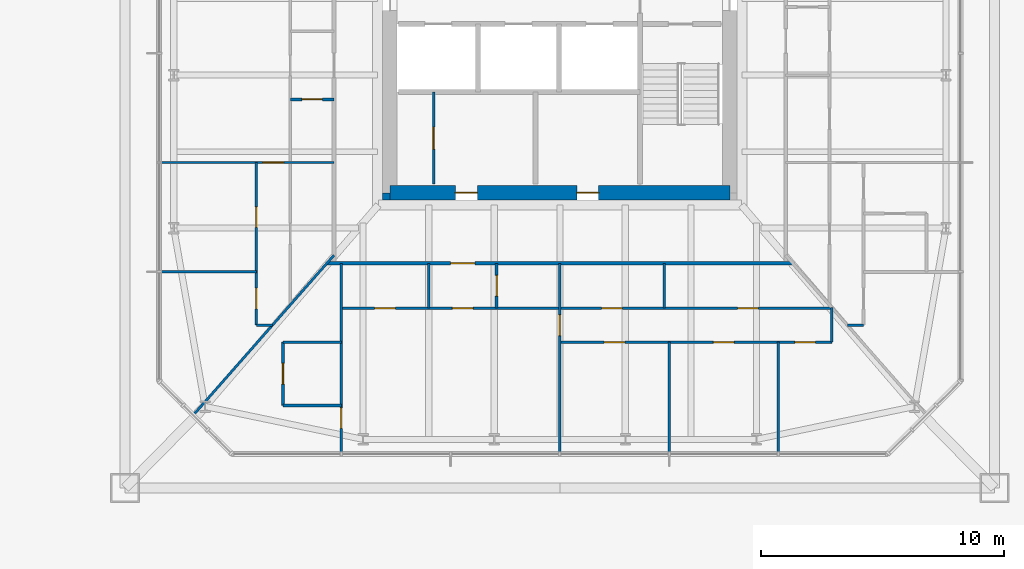
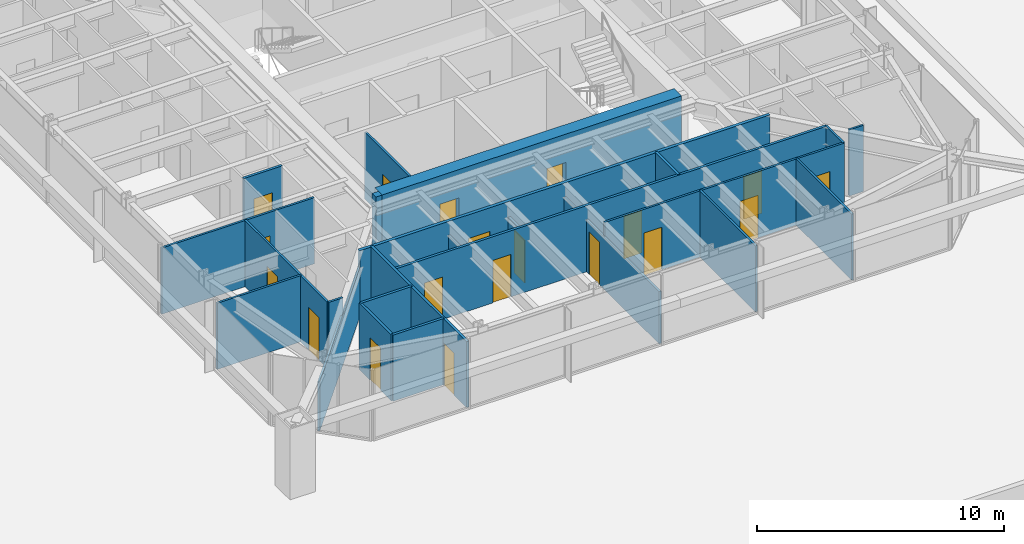
# One storey, part 22 of 31: 24 walls, 19 doors, 19 openings.
"""IFC4 building model written with IfcOpenShell, lengths in metres."""

from ifc_helpers import new_model, si_unit, direction, frame, frame_2d, origin, place, context, subcontext, project, spatial, rectangle, extrude, material, layer, layer_set, type_object, element, fill, save


model = new_model("IFC4")

# Units and contexts
model_context = context("Model", 3, precision=1e-05, world=origin(), true_north=direction((0.0, 1.0)))
body_context = subcontext(model_context, "Body", "Model", "MODEL_VIEW")
ifc_project = project(units=[si_unit("LENGTHUNIT", "METRE"), si_unit("AREAUNIT", "SQUARE_METRE"), si_unit("VOLUMEUNIT", "CUBIC_METRE"), si_unit("PLANEANGLEUNIT", "RADIAN"), si_unit("MASSUNIT", "GRAM", prefix="KILO")], contexts=[model_context])

# Site, building, storey
site_placement = place(None, origin())
site = spatial("IfcSite", under=ifc_project, at=site_placement, CompositionType="ELEMENT")
building_placement = place(site_placement, origin())
building = spatial("IfcBuilding", under=site, at=building_placement, Name="Iwan Alto Co-Living Towers", CompositionType="ELEMENT")
storey_placement = place(building_placement, frame((0.0, 0.0, 15.0)))
storey = spatial("IfcBuildingStorey", under=building, at=storey_placement, Name="L03", CompositionType="ELEMENT", Elevation=15.0)

# Wall, opening, door
ifc_material_1 = material(Name="Gypsum board")
ifc_layer_1 = layer(ifc_material_1, 0.02490234375, Name="Board", Category="Finish")
ifc_material_2 = material(Name="Steel ASTM A1003 ST33H cold-formed studs", Category="steel")
ifc_layer_2 = layer(ifc_material_2, 0.10009765625, Name="Studs", Category="Framing")
ifc_layer_3 = layer(ifc_material_1, 0.02490234375, Name="Board", Category="Finish")
ifc_layer_set_1 = layer_set([ifc_layer_1, ifc_layer_2, ifc_layer_3], Name="CORRIDOR WALL 150")
wall_type_1 = type_object("IfcWallType", Name="CORRIDOR WALL 150", PredefinedType="PARTITIONING", material=ifc_layer_set_1)
wall_1_placement = place(storey_placement, frame((53.407958984375, -10.89990234375, 0.0), z_axis=(0.0, 0.0, 1.0), x_axis=(1.0, 0.0, 0.0)))
wall_1 = element("IfcWall", 1, at=wall_1_placement, inside=storey, type_object=wall_type_1, Name="Partition L03", PredefinedType="PARTITIONING", context=body_context, shape_type="SweptSolid", body=[
    extrude(rectangle(XDim=19.18408203125, YDim=0.14990234375, at=frame_2d((9.592041015625, 0.0))), origin(), (0.0, 0.0, 1.0), 3.27001953125),
])
opening_1_placement = place(wall_1_placement, frame((5.092041015625, 0.0, 0.0)))
opening_1 = element("IfcOpeningElement", 2, at=opening_1_placement, cuts=wall_1, Name="Opening D3", PredefinedType="OPENING", context=body_context, shape_type="SweptSolid", body=[
    extrude(rectangle(XDim=1.0, YDim=2.10009765625, at=frame_2d((0.5, 1.050048828125))), frame((0.0, 0.0849609375, 0.0), z_axis=(0.0, -1.0, 0.0), x_axis=(1.0, 0.0, 0.0)), (0.0, 0.0, 1.0), 0.169921875),
])
ifc_material_3 = material(Name="Steel frame with timber leaf", Category="steel")
door_type_1 = type_object("IfcDoorType", Name="FLAT ENTRANCE DOOR FD30S 1000X2100", OperationType="SINGLE_SWING_LEFT", PredefinedType="DOOR", material=ifc_material_3)
door_1_placement = place(opening_1_placement, frame((1.0, 0.0, 0.0), z_axis=(0.0, 0.0, 1.0), x_axis=(-1.0, 0.0, 0.0)))
door_1 = element("IfcDoor", 3, at=door_1_placement, inside=storey, type_object=door_type_1, Name="Apartment foyer door L03", OperationType="SINGLE_SWING_RIGHT", OverallHeight=2.10009765625, OverallWidth=1.0, PredefinedType="DOOR", context=body_context, shape_type="SweptSolid", body=[
    extrude(rectangle(XDim=1.0, YDim=2.10009765625, at=frame_2d((0.5, 1.050048828125))), frame((0.0, 0.02490234375, 0.0), z_axis=(0.0, -1.0, 0.0), x_axis=(1.0, 0.0, 0.0)), (0.0, 0.0, 1.0), 0.050048828125),
])
fill(opening_1, door_1)

# Wall, openings, doors
ifc_layer_4 = layer(ifc_material_1, 0.012451171875, Name="Board", Category="Finish")
ifc_layer_5 = layer(ifc_material_2, 0.074951171875, Name="Studs", Category="Framing")
ifc_layer_6 = layer(ifc_material_1, 0.012451171875, Name="Board", Category="Finish")
ifc_layer_set_2 = layer_set([ifc_layer_4, ifc_layer_5, ifc_layer_6], Name="PARTITION 100")
wall_type_2 = type_object("IfcWallType", Name="PARTITION 100", PredefinedType="PARTITIONING", material=ifc_layer_set_2)
wall_2_placement = place(storey_placement, frame((63.0, -14.14990234375, 0.0), z_axis=(0.0, 0.0, 1.0), x_axis=(1.0, 0.0, 0.0)))
wall_2 = element("IfcWall", 4, at=wall_2_placement, inside=storey, type_object=wall_type_2, Name="Partition L03", PredefinedType="PARTITIONING", context=body_context, shape_type="SweptSolid", body=[
    extrude(rectangle(XDim=11.199951171875, YDim=0.10009765625, at=frame_2d((5.60009765625, 0.0))), origin(), (0.0, 0.0, 1.0), 3.27001953125),
])
opening_2_placement = place(wall_2_placement, frame((1.824951171875, 0.0, 0.0)))
opening_2 = element("IfcOpeningElement", 5, at=opening_2_placement, cuts=wall_2, Name="Opening D2", PredefinedType="OPENING", context=body_context, shape_type="SweptSolid", body=[
    extrude(rectangle(XDim=0.85009765625, YDim=2.10009765625, at=frame_2d((0.425048828125, 1.050048828125))), frame((0.0, 0.06005859375, 0.0), z_axis=(0.0, -1.0, 0.0), x_axis=(1.0, 0.0, 0.0)), (0.0, 0.0, 1.0), 0.1201171875),
])
opening_3_placement = place(wall_2_placement, frame((6.324951171875, 0.0, 0.0)))
opening_3 = element("IfcOpeningElement", 6, at=opening_3_placement, cuts=wall_2, Name="Opening D2", PredefinedType="OPENING", context=body_context, shape_type="SweptSolid", body=[
    extrude(rectangle(XDim=0.85009765625, YDim=2.10009765625, at=frame_2d((0.425048828125, 1.050048828125))), frame((0.0, 0.06005859375, 0.0), z_axis=(0.0, -1.0, 0.0), x_axis=(1.0, 0.0, 0.0)), (0.0, 0.0, 1.0), 0.1201171875),
])
opening_4_placement = place(wall_2_placement, frame((9.675048828125, 0.0, 0.0)))
opening_4 = element("IfcOpeningElement", 7, at=opening_4_placement, cuts=wall_2, Name="Opening D2", PredefinedType="OPENING", context=body_context, shape_type="SweptSolid", body=[
    extrude(rectangle(XDim=0.85009765625, YDim=2.10009765625, at=frame_2d((0.425048828125, 1.050048828125))), frame((0.0, 0.06005859375, 0.0), z_axis=(0.0, -1.0, 0.0), x_axis=(1.0, 0.0, 0.0)), (0.0, 0.0, 1.0), 0.1201171875),
])
ifc_material_4 = material(Name="Timber leaf in steel frame", Category="steel")
door_type_2 = type_object("IfcDoorType", Name="ROOM DOOR 850X2100", OperationType="SINGLE_SWING_LEFT", PredefinedType="DOOR", material=ifc_material_4)
door_2_placement = place(opening_2_placement, frame((0.85009765625, 0.0, 0.0), z_axis=(0.0, 0.0, 1.0), x_axis=(-1.0, 0.0, 0.0)))
door_2 = element("IfcDoor", 8, at=door_2_placement, inside=storey, type_object=door_type_2, Name="Bedroom door L03", OperationType="SINGLE_SWING_RIGHT", OverallHeight=2.10009765625, OverallWidth=0.85009765625, PredefinedType="DOOR", context=body_context, shape_type="SweptSolid", body=[
    extrude(rectangle(XDim=0.85009765625, YDim=2.10009765625, at=frame_2d((0.425048828125, 1.050048828125))), frame((0.0, 0.02490234375, 0.0), z_axis=(0.0, -1.0, 0.0), x_axis=(1.0, 0.0, 0.0)), (0.0, 0.0, 1.0), 0.050048828125),
])
fill(opening_2, door_2)
door_3_placement = place(opening_3_placement, frame((0.85009765625, 0.0, 0.0), z_axis=(0.0, 0.0, 1.0), x_axis=(-1.0, 0.0, 0.0)))
door_3 = element("IfcDoor", 9, at=door_3_placement, inside=storey, type_object=door_type_2, Name="Study door L03", OperationType="SINGLE_SWING_RIGHT", OverallHeight=2.10009765625, OverallWidth=0.85009765625, PredefinedType="DOOR", context=body_context, shape_type="SweptSolid", body=[
    extrude(rectangle(XDim=0.85009765625, YDim=2.10009765625, at=frame_2d((0.425048828125, 1.050048828125))), frame((0.0, 0.02490234375, 0.0), z_axis=(0.0, -1.0, 0.0), x_axis=(1.0, 0.0, 0.0)), (0.0, 0.0, 1.0), 0.050048828125),
])
fill(opening_3, door_3)
door_4_placement = place(opening_4_placement, frame((0.85009765625, 0.0, 0.0), z_axis=(0.0, 0.0, 1.0), x_axis=(-1.0, 0.0, 0.0)))
door_4 = element("IfcDoor", 10, at=door_4_placement, inside=storey, type_object=door_type_2, Name="Bedroom door L03", OperationType="SINGLE_SWING_RIGHT", OverallHeight=2.10009765625, OverallWidth=0.85009765625, PredefinedType="DOOR", context=body_context, shape_type="SweptSolid", body=[
    extrude(rectangle(XDim=0.85009765625, YDim=2.10009765625, at=frame_2d((0.425048828125, 1.050048828125))), frame((0.0, 0.02490234375, 0.0), z_axis=(0.0, -1.0, 0.0), x_axis=(1.0, 0.0, 0.0)), (0.0, 0.0, 1.0), 0.050048828125),
])
fill(opening_4, door_4)

# Walls
for number, where, z_axis, x_axis, name in (
    (11, (50.5, -13.449951171875, 0.0), (0.0, 0.0, 1.0), (1.0, 0.0, 0.0), "Partition L03"),
    (12, (74.8359375, -13.449951171875, 0.0), (0.0, 0.0, 1.0), (1.0, 0.0, 0.0), "Partition L03"),
):
    element("IfcWall", number, at=place(storey_placement, frame(where, z_axis=z_axis, x_axis=x_axis)), inside=storey, type_object=wall_type_2, Name=name, PredefinedType="PARTITIONING", context=body_context, shape_type="SweptSolid", body=[
        extrude(rectangle(XDim=0.6640625, YDim=0.10009765625, at=frame_2d((0.33203125, 0.0))), origin(), (0.0, 0.0, 1.0), 3.27001953125),
    ])
wall_3_placement = place(storey_placement, frame((46.56005859375, -11.25, 0.0), z_axis=(0.0, 0.0, 1.0), x_axis=(1.0, 0.0, 0.0)))
element("IfcWall", 13, at=wall_3_placement, inside=storey, type_object=wall_type_2, Name="Partition L03", PredefinedType="PARTITIONING", context=body_context, shape_type="SweptSolid", body=[
    extrude(rectangle(XDim=3.93994140625, YDim=0.10009765625, at=frame_2d((1.969970703125, 0.0))), origin(), (0.0, 0.0, 1.0), 3.27001953125),
])

# Wall, opening, door
wall_4_placement = place(storey_placement, frame((46.56005859375, -6.75, 0.0), z_axis=(0.0, 0.0, 1.0), x_axis=(1.0, 0.0, 0.0)))
wall_4 = element("IfcWall", 14, at=wall_4_placement, inside=storey, type_object=wall_type_2, Name="Partition L03", PredefinedType="PARTITIONING", context=body_context, shape_type="SweptSolid", body=[
    extrude(rectangle(XDim=7.139892578125, YDim=0.10009765625, at=frame_2d((3.56982421875, 0.0))), origin(), (0.0, 0.0, 1.0), 3.27001953125),
])
opening_5_placement = place(wall_4_placement, frame((4.215087890625, 0.0, 0.0)))
opening_5 = element("IfcOpeningElement", 15, at=opening_5_placement, cuts=wall_4, Name="Opening D2", PredefinedType="OPENING", context=body_context, shape_type="SweptSolid", body=[
    extrude(rectangle(XDim=0.85009765625, YDim=2.10009765625, at=frame_2d((0.425048828125, 1.050048828125))), frame((0.0, 0.06005859375, 0.0), z_axis=(0.0, -1.0, 0.0), x_axis=(1.0, 0.0, 0.0)), (0.0, 0.0, 1.0), 0.1201171875),
])
door_5_placement = place(opening_5_placement, origin())
door_5 = element("IfcDoor", 16, at=door_5_placement, inside=storey, type_object=door_type_2, Name="Apartment hall door L03", OperationType="SINGLE_SWING_RIGHT", OverallHeight=2.10009765625, OverallWidth=0.85009765625, PredefinedType="DOOR", context=body_context, shape_type="SweptSolid", body=[
    extrude(rectangle(XDim=0.85009765625, YDim=2.10009765625, at=frame_2d((0.425048828125, 1.050048828125))), frame((0.0, 0.02490234375, 0.0), z_axis=(0.0, -1.0, 0.0), x_axis=(1.0, 0.0, 0.0)), (0.0, 0.0, 1.0), 0.050048828125),
])
fill(opening_5, door_5)

# Walls
wall_5_placement = place(storey_placement, frame((47.944091796875, -17.10888671875, 0.0), z_axis=(0.0, 0.0, 1.0), x_axis=(0.660612734851, 0.750726857487, 0.0)))
element("IfcWall", 17, at=wall_5_placement, inside=storey, type_object=wall_type_2, Name="Partition L03", PredefinedType="PARTITIONING", context=body_context, shape_type="SweptSolid", body=[
    extrude(rectangle(XDim=8.712890625, YDim=0.10009765625, at=frame_2d((4.3564453125, 0.0))), origin(), (0.0, 0.0, 1.0), 2.42919921875),
])
wall_6_placement = place(storey_placement, frame((74.199951171875, -14.14990234375, 0.0), z_axis=(0.0, 0.0, 1.0), x_axis=(0.0, 1.0, 0.0)))
element("IfcWall", 18, at=wall_6_placement, inside=storey, type_object=wall_type_2, Name="Partition L03", PredefinedType="PARTITIONING", context=body_context, shape_type="SweptSolid", body=[
    extrude(rectangle(XDim=1.4228515625, YDim=0.10009765625, at=frame_2d((0.71142578125, 0.0))), origin(), (0.0, 0.0, 1.0), 3.27001953125),
])
for number, where, z_axis, x_axis, name in (
    (19, (72.0, -18.68994140625, 0.0), (0.0, 0.0, 1.0), (0.0, 1.0, 0.0), "Partition L03"),
    (20, (67.5, -18.68994140625, 0.0), (0.0, 0.0, 1.0), (0.0, 1.0, 0.0), "Partition L03"),
):
    element("IfcWall", number, at=place(storey_placement, frame(where, z_axis=z_axis, x_axis=x_axis)), inside=storey, type_object=wall_type_2, Name=name, PredefinedType="PARTITIONING", context=body_context, shape_type="SweptSolid", body=[
        extrude(rectangle(XDim=4.5400390625, YDim=0.10009765625, at=frame_2d((2.27001953125, 0.0))), origin(), (0.0, 0.0, 1.0), 3.27001953125),
    ])

# Wall, opening, door
wall_7_placement = place(storey_placement, frame((63.0, -18.68994140625, 0.0), z_axis=(0.0, 0.0, 1.0), x_axis=(0.0, 1.0, 0.0)))
wall_7 = element("IfcWall", 21, at=wall_7_placement, inside=storey, type_object=wall_type_2, Name="Partition L03", PredefinedType="PARTITIONING", context=body_context, shape_type="SweptSolid", body=[
    extrude(rectangle(XDim=7.7900390625, YDim=0.10009765625, at=frame_2d((3.89501953125, 0.0))), origin(), (0.0, 0.0, 1.0), 2.586669921875),
])
opening_6_placement = place(wall_7_placement, frame((4.81494140625, 0.0, 0.0)))
opening_6 = element("IfcOpeningElement", 22, at=opening_6_placement, cuts=wall_7, Name="Opening D2", PredefinedType="OPENING", context=body_context, shape_type="SweptSolid", body=[
    extrude(rectangle(XDim=0.85009765625, YDim=2.10009765625, at=frame_2d((0.425048828125, 1.050048828125))), frame((0.0, 0.06005859375, 0.0), z_axis=(0.0, -1.0, 0.0), x_axis=(1.0, 0.0, 0.0)), (0.0, 0.0, 1.0), 0.1201171875),
])
door_6_placement = place(opening_6_placement, origin())
door_6 = element("IfcDoor", 23, at=door_6_placement, inside=storey, type_object=door_type_2, Name="Apartment hall door L03", OperationType="SINGLE_SWING_RIGHT", OverallHeight=2.10009765625, OverallWidth=0.85009765625, PredefinedType="DOOR", context=body_context, shape_type="SweptSolid", body=[
    extrude(rectangle(XDim=0.85009765625, YDim=2.10009765625, at=frame_2d((0.425048828125, 1.050048828125))), frame((0.0, 0.02490234375, 0.0), z_axis=(0.0, -1.0, 0.0), x_axis=(1.0, 0.0, 0.0)), (0.0, 0.0, 1.0), 0.050048828125),
])
fill(opening_6, door_6)

wall_8_placement = place(storey_placement, frame((57.800048828125, -7.639892578125, 0.0), z_axis=(0.0, 0.0, 1.0), x_axis=(0.0, 1.0, 0.0)))
wall_8 = element("IfcWall", 24, at=wall_8_placement, inside=storey, type_object=wall_type_2, Name="Partition L03", PredefinedType="PARTITIONING", context=body_context, shape_type="SweptSolid", body=[
    extrude(rectangle(XDim=3.789794921875, YDim=0.10009765625, at=frame_2d((1.89501953125, 0.0))), origin(), (0.0, 0.0, 1.0), 3.300048828125),
])
opening_7_placement = place(wall_8_placement, frame((1.445068359375, 0.0, 0.0)))
opening_7 = element("IfcOpeningElement", 25, at=opening_7_placement, cuts=wall_8, Name="Opening D16", PredefinedType="OPENING", context=body_context, shape_type="SweptSolid", body=[
    extrude(rectangle(XDim=0.89990234375, YDim=2.10009765625, at=frame_2d((0.449951171875, 1.050048828125))), frame((0.0, 0.06005859375, 0.0), z_axis=(0.0, -1.0, 0.0), x_axis=(1.0, 0.0, 0.0)), (0.0, 0.0, 1.0), 0.1201171875),
])
ifc_material_5 = material(Name="Timber leaf in steel frame", Category="steel")
door_type_3 = type_object("IfcDoorType", Name="CUPBOARD SLIDING DOOR 900X2100", OperationType="SLIDING_TO_LEFT", PredefinedType="DOOR", material=ifc_material_5)
door_7_placement = place(opening_7_placement, origin())
door_7 = element("IfcDoor", 26, at=door_7_placement, inside=storey, type_object=door_type_3, Name="Bulky waste store door L03", OperationType="SLIDING_TO_LEFT", OverallHeight=2.10009765625, OverallWidth=0.89990234375, PredefinedType="DOOR", context=body_context, shape_type="SweptSolid", body=[
    extrude(rectangle(XDim=0.89990234375, YDim=2.10009765625, at=frame_2d((0.449951171875, 1.050048828125))), frame((0.0, 0.02490234375, 0.0), z_axis=(0.0, -1.0, 0.0), x_axis=(1.0, 0.0, 0.0)), (0.0, 0.0, 1.0), 0.050048828125),
])
fill(opening_7, door_7)

# Wall
wall_9_placement = place(storey_placement, frame((57.60009765625, -12.75, 0.0), z_axis=(0.0, 0.0, 1.0), x_axis=(0.0, 1.0, 0.0)))
element("IfcWall", 27, at=wall_9_placement, inside=storey, type_object=wall_type_2, Name="Partition L03", PredefinedType="PARTITIONING", context=body_context, shape_type="SweptSolid", body=[
    extrude(rectangle(XDim=1.85009765625, YDim=0.10009765625, at=frame_2d((0.925048828125, 0.0))), origin(), (0.0, 0.0, 1.0), 2.586669921875),
])

# Wall, openings, doors
wall_10_placement = place(storey_placement, frame((50.5, -13.449951171875, 0.0), z_axis=(0.0, 0.0, 1.0), x_axis=(0.0, 1.0, 0.0)))
wall_10 = element("IfcWall", 28, at=wall_10_placement, inside=storey, type_object=wall_type_2, Name="Partition L03", PredefinedType="PARTITIONING", context=body_context, shape_type="SweptSolid", body=[
    extrude(rectangle(XDim=6.699951171875, YDim=0.10009765625, at=frame_2d((3.35009765625, 0.0))), origin(), (0.0, 0.0, 1.0), 3.27001953125),
])
opening_8_placement = place(wall_10_placement, frame((4.02490234375, 0.0, 0.0)))
opening_8 = element("IfcOpeningElement", 29, at=opening_8_placement, cuts=wall_10, Name="Opening D2", PredefinedType="OPENING", context=body_context, shape_type="SweptSolid", body=[
    extrude(rectangle(XDim=0.85009765625, YDim=2.10009765625, at=frame_2d((0.425048828125, 1.050048828125))), frame((0.0, 0.06005859375, 0.0), z_axis=(0.0, -1.0, 0.0), x_axis=(1.0, 0.0, 0.0)), (0.0, 0.0, 1.0), 0.1201171875),
])
opening_9_placement = place(wall_10_placement, frame((0.675048828125, 0.0, 0.0)))
opening_9 = element("IfcOpeningElement", 30, at=opening_9_placement, cuts=wall_10, Name="Opening D2", PredefinedType="OPENING", context=body_context, shape_type="SweptSolid", body=[
    extrude(rectangle(XDim=0.85009765625, YDim=2.10009765625, at=frame_2d((0.425048828125, 1.050048828125))), frame((0.0, 0.06005859375, 0.0), z_axis=(0.0, -1.0, 0.0), x_axis=(1.0, 0.0, 0.0)), (0.0, 0.0, 1.0), 0.1201171875),
])
door_8_placement = place(opening_8_placement, origin())
door_8 = element("IfcDoor", 31, at=door_8_placement, inside=storey, type_object=door_type_2, Name="Bedroom door L03", OperationType="SINGLE_SWING_LEFT", OverallHeight=2.10009765625, OverallWidth=0.85009765625, PredefinedType="DOOR", context=body_context, shape_type="SweptSolid", body=[
    extrude(rectangle(XDim=0.85009765625, YDim=2.10009765625, at=frame_2d((0.425048828125, 1.050048828125))), frame((0.0, 0.02490234375, 0.0), z_axis=(0.0, -1.0, 0.0), x_axis=(1.0, 0.0, 0.0)), (0.0, 0.0, 1.0), 0.050048828125),
])
fill(opening_8, door_8)
door_9_placement = place(opening_9_placement, origin())
door_9 = element("IfcDoor", 32, at=door_9_placement, inside=storey, type_object=door_type_2, Name="Bedroom door L03", OperationType="SINGLE_SWING_RIGHT", OverallHeight=2.10009765625, OverallWidth=0.85009765625, PredefinedType="DOOR", context=body_context, shape_type="SweptSolid", body=[
    extrude(rectangle(XDim=0.85009765625, YDim=2.10009765625, at=frame_2d((0.425048828125, 1.050048828125))), frame((0.0, 0.02490234375, 0.0), z_axis=(0.0, -1.0, 0.0), x_axis=(1.0, 0.0, 0.0)), (0.0, 0.0, 1.0), 0.050048828125),
])
fill(opening_9, door_9)

# Wall
ifc_material_6 = material(Name="Concrete f'c 70 MPa", Category="concrete")
ifc_layer_7 = layer(ifc_material_6, 0.300048828125)
ifc_layer_set_3 = layer_set([ifc_layer_7], Name="T2 CORE CORNER FILL 300")
wall_type_3 = type_object("IfcWallType", Name="T2 CORE CORNER FILL 300", PredefinedType="SOLIDWALL", material=ifc_layer_set_3)
wall_11_placement = place(storey_placement, frame((55.699951171875, -8.14990234375, 0.0), z_axis=(0.0, 0.0, 1.0), x_axis=(1.0, 0.0, 0.0)))
element("IfcWall", 33, at=wall_11_placement, inside=storey, type_object=wall_type_3, Name="T2 core corner SW L03", PredefinedType="SOLIDWALL", context=body_context, shape_type="SweptSolid", body=[
    extrude(rectangle(XDim=0.300048828125, YDim=0.300048828125, at=frame_2d((0.14990234375, 0.0))), origin(), (0.0, 0.0, 1.0), 3.5),
])

# Wall, openings, doors
ifc_material_7 = material(Name="Concrete f'c 70 MPa", Category="concrete")
ifc_layer_8 = layer(ifc_material_7, 0.60009765625)
ifc_layer_set_4 = layer_set([ifc_layer_8], Name="T2 CORE WALL 600")
wall_type_4 = type_object("IfcWallType", Name="T2 CORE WALL 600", PredefinedType="SHEAR", material=ifc_layer_set_4)
wall_12_placement = place(storey_placement, frame((56.0, -8.0, 0.0), z_axis=(0.0, 0.0, 1.0), x_axis=(1.0, 0.0, 0.0)))
wall_12 = element("IfcWall", 34, at=wall_12_placement, inside=storey, type_object=wall_type_4, Name="T2 core wall S L03", PredefinedType="SHEAR", context=body_context, shape_type="SweptSolid", body=[
    extrude(rectangle(XDim=14.0, YDim=0.60009765625, at=frame_2d((7.0, 0.0))), origin(), (0.0, 0.0, 1.0), 3.5),
])
opening_10_placement = place(wall_12_placement, frame((2.699951171875, 0.0, 0.0)))
opening_10 = element("IfcOpeningElement", 35, at=opening_10_placement, cuts=wall_12, Name="Opening D8", PredefinedType="OPENING", context=body_context, shape_type="SweptSolid", body=[
    extrude(rectangle(XDim=0.89990234375, YDim=2.10009765625, at=frame_2d((0.449951171875, 1.050048828125))), frame((0.0, 0.31005859375, 0.0), z_axis=(0.0, -1.0, 0.0), x_axis=(1.0, 0.0, 0.0)), (0.0, 0.0, 1.0), 0.6201171875),
])
opening_11_placement = place(wall_12_placement, frame((7.699951171875, 0.0, 0.0)))
opening_11 = element("IfcOpeningElement", 36, at=opening_11_placement, cuts=wall_12, Name="Opening D8", PredefinedType="OPENING", context=body_context, shape_type="SweptSolid", body=[
    extrude(rectangle(XDim=0.89990234375, YDim=2.10009765625, at=frame_2d((0.449951171875, 1.050048828125))), frame((0.0, 0.31005859375, 0.0), z_axis=(0.0, -1.0, 0.0), x_axis=(1.0, 0.0, 0.0)), (0.0, 0.0, 1.0), 0.6201171875),
])
ifc_material_8 = material(Name="Steel frame with timber leaf", Category="steel")
door_type_4 = type_object("IfcDoorType", Name="RISER DOOR FD120 900X2100", OperationType="SINGLE_SWING_LEFT", PredefinedType="DOOR", material=ifc_material_8)
door_10_placement = place(opening_10_placement, origin())
door_10 = element("IfcDoor", 37, at=door_10_placement, inside=storey, type_object=door_type_4, Name="Refuse room core door L03", OperationType="SINGLE_SWING_LEFT", OverallHeight=2.10009765625, OverallWidth=0.89990234375, PredefinedType="DOOR", context=body_context, shape_type="SweptSolid", body=[
    extrude(rectangle(XDim=0.89990234375, YDim=2.10009765625, at=frame_2d((0.449951171875, 1.050048828125))), frame((0.0, 0.02490234375, 0.0), z_axis=(0.0, -1.0, 0.0), x_axis=(1.0, 0.0, 0.0)), (0.0, 0.0, 1.0), 0.050048828125),
])
fill(opening_10, door_10)
door_11_placement = place(opening_11_placement, origin())
door_11 = element("IfcDoor", 38, at=door_11_placement, inside=storey, type_object=door_type_4, Name="Telecom riser core door L03", OperationType="SINGLE_SWING_LEFT", OverallHeight=2.10009765625, OverallWidth=0.89990234375, PredefinedType="DOOR", context=body_context, shape_type="SweptSolid", body=[
    extrude(rectangle(XDim=0.89990234375, YDim=2.10009765625, at=frame_2d((0.449951171875, 1.050048828125))), frame((0.0, 0.02490234375, 0.0), z_axis=(0.0, -1.0, 0.0), x_axis=(1.0, 0.0, 0.0)), (0.0, 0.0, 1.0), 0.050048828125),
])
fill(opening_11, door_11)

# Walls
ifc_material_9 = material(Name="Cement board")
ifc_layer_9 = layer(ifc_material_9, 0.012451171875, Name="Board", Category="Finish")
ifc_layer_10 = layer(ifc_material_2, 0.094970703125, Name="Studs", Category="Framing")
ifc_layer_11 = layer(ifc_material_9, 0.012451171875, Name="Board", Category="Finish")
ifc_layer_set_5 = layer_set([ifc_layer_9, ifc_layer_10, ifc_layer_11], Name="WET AREA PARTITION 120")
wall_type_5 = type_object("IfcWallType", Name="WET AREA PARTITION 120", PredefinedType="PARTITIONING", material=ifc_layer_set_5)
for number, where, z_axis, x_axis, name in (
    (39, (51.60009765625, -16.75, 0.0), (0.0, 0.0, 1.0), (1.0, 0.0, 0.0), "Partition L03"),
    (40, (51.60009765625, -14.14990234375, 0.0), (0.0, 0.0, 1.0), (1.0, 0.0, 0.0), "Partition L03"),
):
    element("IfcWall", number, at=place(storey_placement, frame(where, z_axis=z_axis, x_axis=x_axis)), inside=storey, type_object=wall_type_5, Name=name, PredefinedType="PARTITIONING", context=body_context, shape_type="SweptSolid", body=[
        extrude(rectangle(XDim=2.39990234375, YDim=0.1201171875, at=frame_2d((1.199951171875, 0.0))), origin(), (0.0, 0.0, 1.0), 3.27001953125),
    ])

# Wall, openings, doors
wall_13_placement = place(storey_placement, frame((54.0, -12.75, 0.0), z_axis=(0.0, 0.0, 1.0), x_axis=(1.0, 0.0, 0.0)))
wall_13 = element("IfcWall", 41, at=wall_13_placement, inside=storey, type_object=wall_type_5, Name="Partition L03", PredefinedType="PARTITIONING", context=body_context, shape_type="SweptSolid", body=[
    extrude(rectangle(XDim=20.199951171875, YDim=0.1201171875, at=frame_2d((10.10009765625, 0.0))), origin(), (0.0, 0.0, 1.0), 3.27001953125),
])
opening_12_placement = place(wall_13_placement, frame((1.375, 0.0, 0.0)))
opening_12 = element("IfcOpeningElement", 42, at=opening_12_placement, cuts=wall_13, Name="Opening D2", PredefinedType="OPENING", context=body_context, shape_type="SweptSolid", body=[
    extrude(rectangle(XDim=0.85009765625, YDim=2.10009765625, at=frame_2d((0.425048828125, 1.050048828125))), frame((0.0, 0.070068359375, 0.0), z_axis=(0.0, -1.0, 0.0), x_axis=(1.0, 0.0, 0.0)), (0.0, 0.0, 1.0), 0.14013671875),
])
opening_13_placement = place(wall_13_placement, frame((4.574951171875, 0.0, 0.0)))
opening_13 = element("IfcOpeningElement", 43, at=opening_13_placement, cuts=wall_13, Name="Opening D2", PredefinedType="OPENING", context=body_context, shape_type="SweptSolid", body=[
    extrude(rectangle(XDim=0.85009765625, YDim=2.10009765625, at=frame_2d((0.425048828125, 1.050048828125))), frame((0.0, 0.070068359375, 0.0), z_axis=(0.0, -1.0, 0.0), x_axis=(1.0, 0.0, 0.0)), (0.0, 0.0, 1.0), 0.14013671875),
])
opening_14_placement = place(wall_13_placement, frame((10.72509765625, 0.0, 0.0)))
opening_14 = element("IfcOpeningElement", 44, at=opening_14_placement, cuts=wall_13, Name="Opening D2", PredefinedType="OPENING", context=body_context, shape_type="SweptSolid", body=[
    extrude(rectangle(XDim=0.85009765625, YDim=2.10009765625, at=frame_2d((0.425048828125, 1.050048828125))), frame((0.0, 0.070068359375, 0.0), z_axis=(0.0, -1.0, 0.0), x_axis=(1.0, 0.0, 0.0)), (0.0, 0.0, 1.0), 0.14013671875),
])
opening_15_placement = place(wall_13_placement, frame((16.324951171875, 0.0, 0.0)))
opening_15 = element("IfcOpeningElement", 45, at=opening_15_placement, cuts=wall_13, Name="Opening D2", PredefinedType="OPENING", context=body_context, shape_type="SweptSolid", body=[
    extrude(rectangle(XDim=0.85009765625, YDim=2.10009765625, at=frame_2d((0.425048828125, 1.050048828125))), frame((0.0, 0.070068359375, 0.0), z_axis=(0.0, -1.0, 0.0), x_axis=(1.0, 0.0, 0.0)), (0.0, 0.0, 1.0), 0.14013671875),
])
door_12_placement = place(opening_12_placement, frame((0.85009765625, 0.0, 0.0), z_axis=(0.0, 0.0, 1.0), x_axis=(-1.0, 0.0, 0.0)))
door_12 = element("IfcDoor", 46, at=door_12_placement, inside=storey, type_object=door_type_2, Name="Kitchen door L03", OperationType="SINGLE_SWING_RIGHT", OverallHeight=2.10009765625, OverallWidth=0.85009765625, PredefinedType="DOOR", context=body_context, shape_type="SweptSolid", body=[
    extrude(rectangle(XDim=0.85009765625, YDim=2.10009765625, at=frame_2d((0.425048828125, 1.050048828125))), frame((0.0, 0.02490234375, 0.0), z_axis=(0.0, -1.0, 0.0), x_axis=(1.0, 0.0, 0.0)), (0.0, 0.0, 1.0), 0.050048828125),
])
fill(opening_12, door_12)
door_13_placement = place(opening_13_placement, frame((0.85009765625, 0.0, 0.0), z_axis=(0.0, 0.0, 1.0), x_axis=(-1.0, 0.0, 0.0)))
door_13 = element("IfcDoor", 47, at=door_13_placement, inside=storey, type_object=door_type_2, Name="Apartment foyer door L03", OperationType="SINGLE_SWING_LEFT", OverallHeight=2.10009765625, OverallWidth=0.85009765625, PredefinedType="DOOR", context=body_context, shape_type="SweptSolid", body=[
    extrude(rectangle(XDim=0.85009765625, YDim=2.10009765625, at=frame_2d((0.425048828125, 1.050048828125))), frame((0.0, 0.02490234375, 0.0), z_axis=(0.0, -1.0, 0.0), x_axis=(1.0, 0.0, 0.0)), (0.0, 0.0, 1.0), 0.050048828125),
])
fill(opening_13, door_13)
door_14_placement = place(opening_14_placement, origin())
door_14 = element("IfcDoor", 48, at=door_14_placement, inside=storey, type_object=door_type_2, Name="Utility room door L03", OperationType="SINGLE_SWING_LEFT", OverallHeight=2.10009765625, OverallWidth=0.85009765625, PredefinedType="DOOR", context=body_context, shape_type="SweptSolid", body=[
    extrude(rectangle(XDim=0.85009765625, YDim=2.10009765625, at=frame_2d((0.425048828125, 1.050048828125))), frame((0.0, 0.02490234375, 0.0), z_axis=(0.0, -1.0, 0.0), x_axis=(1.0, 0.0, 0.0)), (0.0, 0.0, 1.0), 0.050048828125),
])
fill(opening_14, door_14)
door_15_placement = place(opening_15_placement, origin())
door_15 = element("IfcDoor", 49, at=door_15_placement, inside=storey, type_object=door_type_2, Name="Store room door L03", OperationType="SINGLE_SWING_RIGHT", OverallHeight=2.10009765625, OverallWidth=0.85009765625, PredefinedType="DOOR", context=body_context, shape_type="SweptSolid", body=[
    extrude(rectangle(XDim=0.85009765625, YDim=2.10009765625, at=frame_2d((0.425048828125, 1.050048828125))), frame((0.0, 0.02490234375, 0.0), z_axis=(0.0, -1.0, 0.0), x_axis=(1.0, 0.0, 0.0)), (0.0, 0.0, 1.0), 0.050048828125),
])
fill(opening_15, door_15)

# Wall, opening, door
wall_14_placement = place(storey_placement, frame((51.89990234375, -4.14990234375, 0.0), z_axis=(0.0, 0.0, 1.0), x_axis=(1.0, 0.0, 0.0)))
wall_14 = element("IfcWall", 50, at=wall_14_placement, inside=storey, type_object=wall_type_5, Name="Partition L03", PredefinedType="PARTITIONING", context=body_context, shape_type="SweptSolid", body=[
    extrude(rectangle(XDim=1.800048828125, YDim=0.1201171875, at=frame_2d((0.89990234375, 0.0))), origin(), (0.0, 0.0, 1.0), 3.27001953125),
])
opening_16_placement = place(wall_14_placement, frame((0.47509765625, 0.0, 0.0)))
opening_16 = element("IfcOpeningElement", 51, at=opening_16_placement, cuts=wall_14, Name="Opening D2", PredefinedType="OPENING", context=body_context, shape_type="SweptSolid", body=[
    extrude(rectangle(XDim=0.85009765625, YDim=2.10009765625, at=frame_2d((0.425048828125, 1.050048828125))), frame((0.0, 0.070068359375, 0.0), z_axis=(0.0, -1.0, 0.0), x_axis=(1.0, 0.0, 0.0)), (0.0, 0.0, 1.0), 0.14013671875),
])
door_16_placement = place(opening_16_placement, frame((0.85009765625, 0.0, 0.0), z_axis=(0.0, 0.0, 1.0), x_axis=(-1.0, 0.0, 0.0)))
door_16 = element("IfcDoor", 52, at=door_16_placement, inside=storey, type_object=door_type_2, Name="Bathroom door L03", OperationType="SINGLE_SWING_RIGHT", OverallHeight=2.10009765625, OverallWidth=0.85009765625, PredefinedType="DOOR", context=body_context, shape_type="SweptSolid", body=[
    extrude(rectangle(XDim=0.85009765625, YDim=2.10009765625, at=frame_2d((0.425048828125, 1.050048828125))), frame((0.0, 0.02490234375, 0.0), z_axis=(0.0, -1.0, 0.0), x_axis=(1.0, 0.0, 0.0)), (0.0, 0.0, 1.0), 0.050048828125),
])
fill(opening_16, door_16)

# Wall
wall_15_placement = place(storey_placement, frame((67.300048828125, -12.75, 0.0), z_axis=(0.0, 0.0, 1.0), x_axis=(0.0, 1.0, 0.0)))
element("IfcWall", 53, at=wall_15_placement, inside=storey, type_object=wall_type_5, Name="Partition L03", PredefinedType="PARTITIONING", context=body_context, shape_type="SweptSolid", body=[
    extrude(rectangle(XDim=1.85009765625, YDim=0.1201171875, at=frame_2d((0.925048828125, 0.0))), origin(), (0.0, 0.0, 1.0), 3.27001953125),
])

# Wall, opening, door
wall_16_placement = place(storey_placement, frame((60.39990234375, -12.75, 0.0), z_axis=(0.0, 0.0, 1.0), x_axis=(0.0, 1.0, 0.0)))
wall_16 = element("IfcWall", 54, at=wall_16_placement, inside=storey, type_object=wall_type_5, Name="Partition L03", PredefinedType="PARTITIONING", context=body_context, shape_type="SweptSolid", body=[
    extrude(rectangle(XDim=1.85009765625, YDim=0.1201171875, at=frame_2d((0.925048828125, 0.0))), origin(), (0.0, 0.0, 1.0), 2.508056640625),
])
opening_17_placement = place(wall_16_placement, frame((0.5, 0.0, 0.0)))
opening_17 = element("IfcOpeningElement", 55, at=opening_17_placement, cuts=wall_16, Name="Opening D2", PredefinedType="OPENING", context=body_context, shape_type="SweptSolid", body=[
    extrude(rectangle(XDim=0.85009765625, YDim=2.10009765625, at=frame_2d((0.425048828125, 1.050048828125))), frame((0.0, 0.070068359375, 0.0), z_axis=(0.0, -1.0, 0.0), x_axis=(1.0, 0.0, 0.0)), (0.0, 0.0, 1.0), 0.14013671875),
])
door_17_placement = place(opening_17_placement, frame((0.85009765625, 0.0, 0.0), z_axis=(0.0, 0.0, 1.0), x_axis=(-1.0, 0.0, 0.0)))
door_17 = element("IfcDoor", 56, at=door_17_placement, inside=storey, type_object=door_type_2, Name="Bathroom door L03", OperationType="SINGLE_SWING_RIGHT", OverallHeight=2.10009765625, OverallWidth=0.85009765625, PredefinedType="DOOR", context=body_context, shape_type="SweptSolid", body=[
    extrude(rectangle(XDim=0.85009765625, YDim=2.10009765625, at=frame_2d((0.425048828125, 1.050048828125))), frame((0.0, 0.02490234375, 0.0), z_axis=(0.0, -1.0, 0.0), x_axis=(1.0, 0.0, 0.0)), (0.0, 0.0, 1.0), 0.050048828125),
])
fill(opening_17, door_17)

wall_17_placement = place(storey_placement, frame((54.0, -18.68994140625, 0.0), z_axis=(0.0, 0.0, 1.0), x_axis=(0.0, 1.0, 0.0)))
wall_17 = element("IfcWall", 57, at=wall_17_placement, inside=storey, type_object=wall_type_5, Name="Partition L03", PredefinedType="PARTITIONING", context=body_context, shape_type="SweptSolid", body=[
    extrude(rectangle(XDim=7.7900390625, YDim=0.1201171875, at=frame_2d((3.89501953125, 0.0))), origin(), (0.0, 0.0, 1.0), 3.27001953125),
])
opening_18_placement = place(wall_17_placement, frame((0.989990234375, 0.0, 0.0)))
opening_18 = element("IfcOpeningElement", 58, at=opening_18_placement, cuts=wall_17, Name="Opening D2", PredefinedType="OPENING", context=body_context, shape_type="SweptSolid", body=[
    extrude(rectangle(XDim=0.85009765625, YDim=2.10009765625, at=frame_2d((0.425048828125, 1.050048828125))), frame((0.0, 0.070068359375, 0.0), z_axis=(0.0, -1.0, 0.0), x_axis=(1.0, 0.0, 0.0)), (0.0, 0.0, 1.0), 0.14013671875),
])
door_18_placement = place(opening_18_placement, frame((0.85009765625, 0.0, 0.0), z_axis=(0.0, 0.0, 1.0), x_axis=(-1.0, 0.0, 0.0)))
door_18 = element("IfcDoor", 59, at=door_18_placement, inside=storey, type_object=door_type_2, Name="Bedroom door L03", OperationType="SINGLE_SWING_RIGHT", OverallHeight=2.10009765625, OverallWidth=0.85009765625, PredefinedType="DOOR", context=body_context, shape_type="SweptSolid", body=[
    extrude(rectangle(XDim=0.85009765625, YDim=2.10009765625, at=frame_2d((0.425048828125, 1.050048828125))), frame((0.0, 0.02490234375, 0.0), z_axis=(0.0, -1.0, 0.0), x_axis=(1.0, 0.0, 0.0)), (0.0, 0.0, 1.0), 0.050048828125),
])
fill(opening_18, door_18)

wall_18_placement = place(storey_placement, frame((51.60009765625, -16.75, 0.0), z_axis=(0.0, 0.0, 1.0), x_axis=(0.0, 1.0, 0.0)))
wall_18 = element("IfcWall", 60, at=wall_18_placement, inside=storey, type_object=wall_type_5, Name="Partition L03", PredefinedType="PARTITIONING", context=body_context, shape_type="SweptSolid", body=[
    extrude(rectangle(XDim=2.60009765625, YDim=0.1201171875, at=frame_2d((1.300048828125, 0.0))), origin(), (0.0, 0.0, 1.0), 3.27001953125),
])
opening_19_placement = place(wall_18_placement, frame((0.875, 0.0, 0.0)))
opening_19 = element("IfcOpeningElement", 61, at=opening_19_placement, cuts=wall_18, Name="Opening D2", PredefinedType="OPENING", context=body_context, shape_type="SweptSolid", body=[
    extrude(rectangle(XDim=0.85009765625, YDim=2.10009765625, at=frame_2d((0.425048828125, 1.050048828125))), frame((0.0, 0.070068359375, 0.0), z_axis=(0.0, -1.0, 0.0), x_axis=(1.0, 0.0, 0.0)), (0.0, 0.0, 1.0), 0.14013671875),
])
door_19_placement = place(opening_19_placement, origin())
door_19 = element("IfcDoor", 62, at=door_19_placement, inside=storey, type_object=door_type_2, Name="En-suite shower room door L03", OperationType="SINGLE_SWING_RIGHT", OverallHeight=2.10009765625, OverallWidth=0.85009765625, PredefinedType="DOOR", context=body_context, shape_type="SweptSolid", body=[
    extrude(rectangle(XDim=0.85009765625, YDim=2.10009765625, at=frame_2d((0.425048828125, 1.050048828125))), frame((0.0, 0.02490234375, 0.0), z_axis=(0.0, -1.0, 0.0), x_axis=(1.0, 0.0, 0.0)), (0.0, 0.0, 1.0), 0.050048828125),
])
fill(opening_19, door_19)

save(model, "model.ifc")
